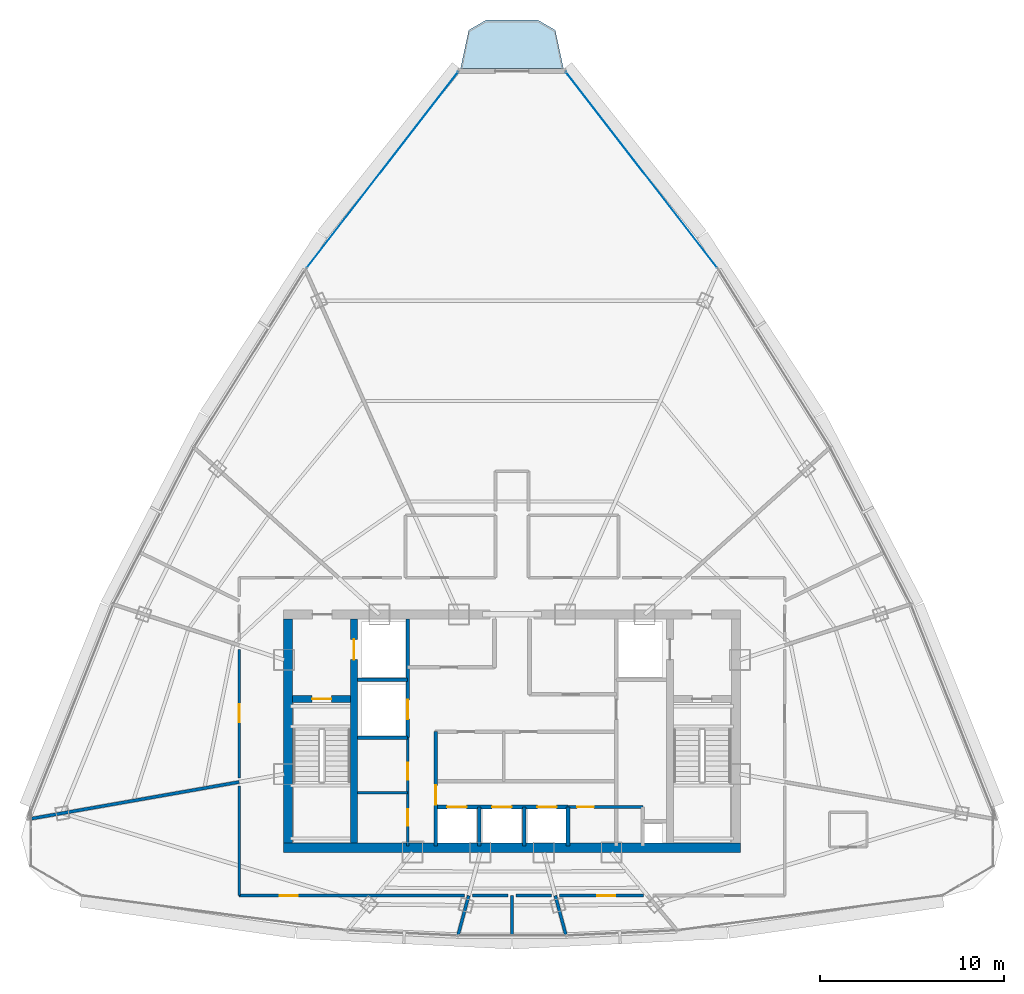
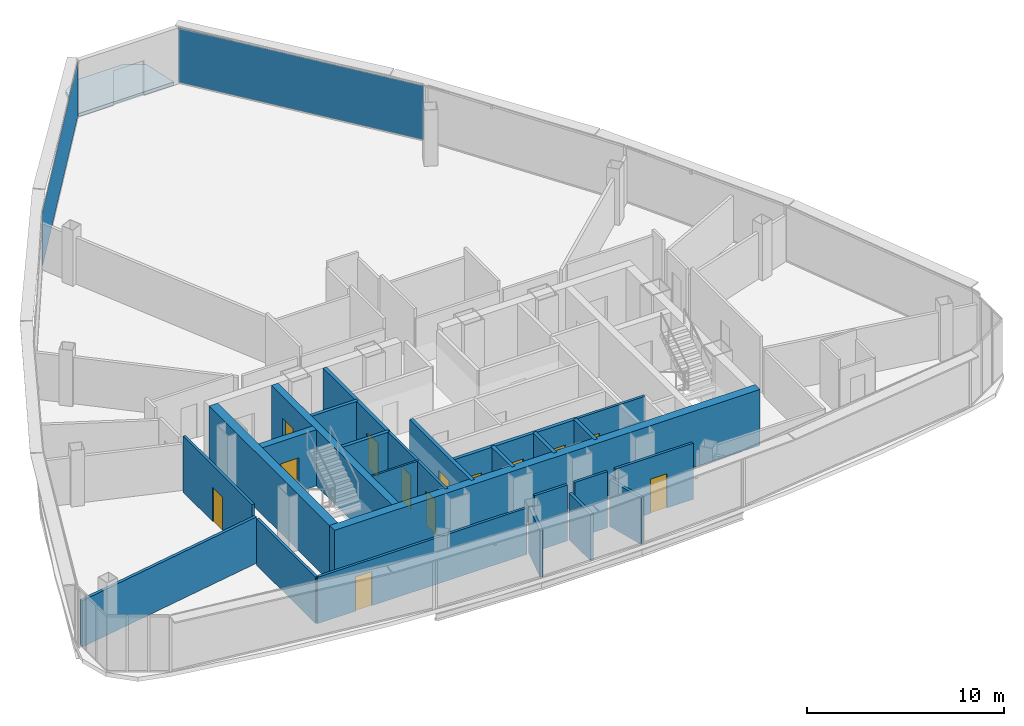
# One storey, part 24 of 29: 25 walls, 13 doors, 2 plates, 1 slab, 13 openings, 2 elements without a shape of their own.
"""IFC4 building model written with IfcOpenShell, lengths in metres."""

from ifc_helpers import new_model, si_unit, direction, frame, frame_2d, origin, origin_with_axes, origin_2d, place, context, subcontext, project, spatial, polyline, rectangle, outline, extrude, source, transform, mapped, material, layer, layer_set, type_object, element, fill, aggregate, save


model = new_model("IFC4")

# Units and contexts
model_context = context("Model", 3, precision=1e-05, world=origin(), true_north=direction((0.0, 1.0)))
body_context = subcontext(model_context, "Body", "Model", "MODEL_VIEW")
ifc_project = project(units=[si_unit("LENGTHUNIT", "METRE"), si_unit("AREAUNIT", "SQUARE_METRE"), si_unit("VOLUMEUNIT", "CUBIC_METRE"), si_unit("PLANEANGLEUNIT", "RADIAN"), si_unit("MASSUNIT", "GRAM", prefix="KILO"), si_unit("THERMODYNAMICTEMPERATUREUNIT", "KELVIN"), si_unit("POWERUNIT", "WATT")], contexts=[model_context])

# Site, building, storey
site_placement = place(None, origin())
site = spatial("IfcSite", under=ifc_project, at=site_placement, CompositionType="ELEMENT")
building_placement = place(site_placement, origin())
building = spatial("IfcBuilding", under=site, at=building_placement, Name="Yunzhuo Pagoda Commons", CompositionType="ELEMENT")
storey_placement = place(building_placement, frame((0.0, 0.0, 363.010009765625)))
storey = spatial("IfcBuildingStorey", under=building, at=storey_placement, Name="L91", CompositionType="ELEMENT", Elevation=363.010009765625)

# Slab
ifc_material_1 = material(Name="Concrete C40", Category="concrete")
ifc_layer_1 = layer(ifc_material_1, 0.199951171875)
ifc_layer_set_1 = layer_set([ifc_layer_1], Name="Concrete C40")
slab_type = type_object("IfcSlabType", Name="SL-BAL Vertex Balcony Deck Slab 200", PredefinedType="FLOOR", material=ifc_layer_set_1)
slab_placement = place(storey_placement, frame((0.0, 0.0, -0.199951171875)))
element("IfcSlab", 1, at=slab_placement, inside=storey, type_object=slab_type, Name="L91 corner balcony V3", PredefinedType="FLOOR", context=body_context, shape_type="SweptSolid", body=[
    extrude(outline(polyline([(50.802001953125, 69.911376953125), (45.197998046875, 69.911376953125), (45.64794921875, 72.00634765625), (46.59912109375, 72.556396484375), (49.40087890625, 72.556396484375), (50.35205078125, 72.00634765625), (50.802001953125, 69.911376953125)])), origin(), (0.0, 0.0, 1.0), 0.199951171875),
])

# Curtain wall, plate
ifc_material_2 = material(Name="Anodized aluminium 6063-T6", Category="aluminium")
ifc_layer_2 = layer(ifc_material_2, 0.139892578125)
ifc_layer_set_2 = layer_set([ifc_layer_2], Name="Anodized aluminium 6063-T6")
curtain_wall_type = type_object("IfcCurtainWallType", Name="CW-HI High-Zone Ribbon Curtain Wall", PredefinedType="NOTDEFINED", material=ifc_layer_set_2)
curtain_wall_1_placement = place(storey_placement, origin())
curtain_wall_1 = element("IfcCurtainWall", 2, at=curtain_wall_1_placement, inside=storey, type_object=curtain_wall_type, Name="L91 curtain wall CW-L91-F2B5", PredefinedType="NOTDEFINED")
ifc_material_3 = material(Name="Tempered low-e double glazing", Category="glass")
ifc_layer_3 = layer(ifc_material_3, 0.02587890625)
ifc_layer_set_3 = layer_set([ifc_layer_3], Name="Tempered low-e double glazing")
plate_type = type_object("IfcPlateType", Name="CW-HI-P Low-E Double Glazing 26", PredefinedType="CURTAIN_PANEL", material=ifc_layer_set_3)
shared_shape_1 = source(origin(), body_context, "Body", "SweptSolid", [
    extrude(rectangle(XDim=13.466064453125, YDim=0.028076171875, at=origin_2d()), origin(), (0.0, 0.0, 1.0), 3.360107421875),
])
plate_1_placement = place(storey_placement, frame((55.050048828125, 64.400634765625, 0.05517578125), z_axis=(0.0, 0.0, 1.0), x_axis=(-0.61136454293, 0.79134909847, 0.0)))
plate_1 = element("IfcPlate", 3, at=plate_1_placement, type_object=plate_type, Name="CW panel 1.1", PredefinedType="CURTAIN_PANEL", context=body_context, shape_type="MappedRepresentation", body=[
    mapped(shared_shape_1, transform((0.0, 0.0, 0.0), scale=1.0)),
])
aggregate(curtain_wall_1, [plate_1])

curtain_wall_2_placement = place(storey_placement, origin())
curtain_wall_2 = element("IfcCurtainWall", 4, at=curtain_wall_2_placement, inside=storey, type_object=curtain_wall_type, Name="L91 curtain wall CW-L91-F3B1", PredefinedType="NOTDEFINED")
plate_2_placement = place(storey_placement, frame((40.949951171875, 64.400634765625, 0.05517578125), z_axis=(0.0, 0.0, 1.0), x_axis=(-0.61136454293, -0.79134909847, 0.0)))
plate_2 = element("IfcPlate", 5, at=plate_2_placement, type_object=plate_type, Name="CW panel 1.1", PredefinedType="CURTAIN_PANEL", context=body_context, shape_type="MappedRepresentation", body=[
    mapped(shared_shape_1, transform((0.0, 0.0, 0.0), scale=1.0)),
])
aggregate(curtain_wall_2, [plate_2])

# Walls
ifc_material_4 = material(Name="Concrete C50", Category="concrete")
ifc_layer_4 = layer(ifc_material_4, 0.5)
ifc_layer_set_4 = layer_set([ifc_layer_4], Name="Concrete C50")
wall_type_1 = type_object("IfcWallType", Name="W-C03 Upper Core Shear Wall 500", PredefinedType="SHEAR", material=ifc_layer_set_4)
wall_1_placement = place(storey_placement, frame((35.550048828125, 27.5, 0.0), z_axis=(0.0, 0.0, 1.0), x_axis=(1.0, 0.0, 0.0)))
element("IfcWall", 6, at=wall_1_placement, inside=storey, type_object=wall_type_1, Name="L91 core shear wall S", PredefinedType="SHEAR", context=body_context, shape_type="SweptSolid", body=[
    extrude(rectangle(XDim=24.89990234375, YDim=0.5, at=frame_2d((12.449951171875, 0.0))), origin(), (0.0, 0.0, 1.0), 3.469970703125),
])
wall_2_placement = place(storey_placement, frame((35.800048828125, 27.75, 0.0), z_axis=(0.0, 0.0, 1.0), x_axis=(0.0, 1.0, 0.0)))
element("IfcWall", 7, at=wall_2_placement, inside=storey, type_object=wall_type_1, Name="L91 core shear wall W", PredefinedType="SHEAR", context=body_context, shape_type="SweptSolid", body=[
    extrude(rectangle(XDim=12.199951171875, YDim=0.5, at=frame_2d((6.10009765625, 0.0))), origin(), (0.0, 0.0, 1.0), 3.469970703125),
])

# Wall, openings, doors
ifc_material_5 = material(Name="Gypsum plasterboard on acoustic stud")
ifc_layer_5 = layer(ifc_material_5, 0.14990234375)
ifc_layer_set_5 = layer_set([ifc_layer_5], Name="Gypsum plasterboard on acoustic stud")
wall_type_2 = type_object("IfcWallType", Name="W-COR3 High-Zone Rated Corridor Wall 150", PredefinedType="PARTITIONING", material=ifc_layer_set_5)
wall_3_placement = place(storey_placement, frame((42.320068359375, 27.60009765625, 0.0), z_axis=(0.0, 0.0, 1.0), x_axis=(0.0, 1.0, 0.0)))
wall_3 = element("IfcWall", 8, at=wall_3_placement, inside=storey, type_object=wall_type_2, Name="L91 interior wall IW-L91-CSWE", PredefinedType="PARTITIONING", context=body_context, shape_type="SweptSolid", body=[
    extrude(rectangle(XDim=5.89990234375, YDim=0.14990234375, at=frame_2d((2.949951171875, 0.0))), origin(), (0.0, 0.0, 1.0), 3.469970703125),
])
opening_1_placement = place(wall_3_placement, frame((1.10009765625, 0.0, 0.0)))
opening_1 = element("IfcOpeningElement", 9, at=opening_1_placement, cuts=wall_3, Name="Opening D-03", PredefinedType="OPENING", context=body_context, shape_type="SweptSolid", body=[
    extrude(rectangle(XDim=0.89990234375, YDim=2.10009765625, at=frame_2d((0.449951171875, 1.050048828125))), frame((0.0, 0.0849609375, 0.0), z_axis=(0.0, -1.0, 0.0), x_axis=(1.0, 0.0, 0.0)), (0.0, 0.0, 1.0), 0.169921875),
])
opening_2_placement = place(wall_3_placement, frame((3.60009765625, 0.0, 0.0)))
opening_2 = element("IfcOpeningElement", 10, at=opening_2_placement, cuts=wall_3, Name="Opening D-11", PredefinedType="OPENING", context=body_context, shape_type="SweptSolid", body=[
    extrude(rectangle(XDim=0.93994140625, YDim=2.10009765625, at=frame_2d((0.469970703125, 1.050048828125))), frame((0.0, 0.0849609375, 0.0), z_axis=(0.0, -1.0, 0.0), x_axis=(1.0, 0.0, 0.0)), (0.0, 0.0, 1.0), 0.169921875),
])
ifc_material_6 = material(Name="Galvanized fire-resisting metal leaf")
door_type_1 = type_object("IfcDoorType", Name="D-03 Core Service Fire Door 900x2100", OperationType="NOTDEFINED", PredefinedType="DOOR", material=ifc_material_6)
shared_shape_2 = source(origin(), body_context, "Body", "SweptSolid", [
    extrude(rectangle(XDim=0.89990234375, YDim=2.10009765625, at=frame_2d((0.449951171875, 1.050048828125))), frame((0.0, 0.02490234375, 0.0), z_axis=(0.0, -1.0, 0.0), x_axis=(1.0, 0.0, 0.0)), (0.0, 0.0, 1.0), 0.050048828125),
])
door_1_placement = place(opening_1_placement, origin_with_axes())
door_1 = element("IfcDoor", 11, at=door_1_placement, inside=storey, type_object=door_type_1, Name="L91 housekeeping door", OperationType="SINGLE_SWING_RIGHT", OverallHeight=2.10009765625, OverallWidth=0.89990234375, PredefinedType="DOOR", context=body_context, shape_type="MappedRepresentation", body=[
    mapped(shared_shape_2, transform((0.0, 0.0, 0.0), scale=1.0)),
])
fill(opening_1, door_1)
door_type_2 = type_object("IfcDoorType", Name="D-11 Accessible Washroom Fire Door 940x2100", OperationType="NOTDEFINED", PredefinedType="DOOR", material=ifc_material_6)
shared_shape_3 = source(origin(), body_context, "Body", "SweptSolid", [
    extrude(rectangle(XDim=0.93994140625, YDim=2.10009765625, at=frame_2d((0.469970703125, 1.050048828125))), frame((0.0, 0.02490234375, 0.0), z_axis=(0.0, -1.0, 0.0), x_axis=(1.0, 0.0, 0.0)), (0.0, 0.0, 1.0), 0.050048828125),
])
door_2_placement = place(opening_2_placement, origin_with_axes())
door_2 = element("IfcDoor", 12, at=door_2_placement, inside=storey, type_object=door_type_2, Name="L91 core WC door", OperationType="SINGLE_SWING_RIGHT", OverallHeight=2.10009765625, OverallWidth=0.93994140625, PredefinedType="DOOR", context=body_context, shape_type="MappedRepresentation", body=[
    mapped(shared_shape_3, transform((0.0, 0.0, 0.0), scale=1.0)),
])
fill(opening_2, door_2)

# Wall, opening, door
wall_4_placement = place(storey_placement, frame((51.050048828125, 29.719970703125, 0.0), z_axis=(0.0, 0.0, 1.0), x_axis=(1.0, 0.0, 0.0)))
wall_4 = element("IfcWall", 13, at=wall_4_placement, inside=storey, type_object=wall_type_2, Name="L91 interior wall IW-L91-CSES", PredefinedType="PARTITIONING", context=body_context, shape_type="SweptSolid", body=[
    extrude(rectangle(XDim=4.070068359375, YDim=0.14990234375, at=frame_2d((2.03515625, 0.0))), origin(), (0.0, 0.0, 1.0), 3.469970703125),
])
opening_3_placement = place(wall_4_placement, frame((0.5, 0.0, 0.0)))
opening_3 = element("IfcOpeningElement", 14, at=opening_3_placement, cuts=wall_4, Name="Opening D-03", PredefinedType="OPENING", context=body_context, shape_type="SweptSolid", body=[
    extrude(rectangle(XDim=0.89990234375, YDim=2.10009765625, at=frame_2d((0.449951171875, 1.050048828125))), frame((0.0, 0.0849609375, 0.0), z_axis=(0.0, -1.0, 0.0), x_axis=(1.0, 0.0, 0.0)), (0.0, 0.0, 1.0), 0.169921875),
])
door_3_placement = place(opening_3_placement, origin_with_axes())
door_3 = element("IfcDoor", 15, at=door_3_placement, inside=storey, type_object=door_type_1, Name="L91 IT closet door", OperationType="SINGLE_SWING_LEFT", OverallHeight=2.10009765625, OverallWidth=0.89990234375, PredefinedType="DOOR", context=body_context, shape_type="MappedRepresentation", body=[
    mapped(shared_shape_2, transform((0.0, 0.0, 0.0), scale=1.0)),
])
fill(opening_3, door_3)

# Wall
wall_5_placement = place(storey_placement, frame((33.14990234375, 24.89990234375, 0.0), z_axis=(0.0, 0.0, 1.0), x_axis=(0.0, 1.0, 0.0)))
element("IfcWall", 16, at=wall_5_placement, inside=storey, type_object=wall_type_2, Name="L91 interior wall IW-L91-CWL01", PredefinedType="PARTITIONING", context=body_context, shape_type="SweptSolid", body=[
    extrude(rectangle(XDim=5.958251953125, YDim=0.14990234375, at=frame_2d((2.97900390625, 0.0))), origin(), (0.0, 0.0, 1.0), 2.869873046875),
])

# Wall, opening, door
wall_6_placement = place(storey_placement, frame((33.14990234375, 31.30126953125, 0.0), z_axis=(0.0, 0.0, 1.0), x_axis=(0.0, 1.0, 0.0)))
wall_6 = element("IfcWall", 17, at=wall_6_placement, inside=storey, type_object=wall_type_2, Name="L91 interior wall IW-L91-CWL02", PredefinedType="PARTITIONING", context=body_context, shape_type="SweptSolid", body=[
    extrude(rectangle(XDim=7.004150390625, YDim=0.14990234375, at=frame_2d((3.501953125, 0.0))), origin(), (0.0, 0.0, 1.0), 3.469970703125),
])
opening_4_placement = place(wall_6_placement, frame((3.027099609375, 0.0, 0.0)))
opening_4 = element("IfcOpeningElement", 18, at=opening_4_placement, cuts=wall_6, Name="Opening D-08", PredefinedType="OPENING", context=body_context, shape_type="SweptSolid", body=[
    extrude(rectangle(XDim=0.97998046875, YDim=2.1201171875, at=frame_2d((0.489990234375, 1.06005859375))), frame((0.0, 0.0849609375, 0.0), z_axis=(0.0, -1.0, 0.0), x_axis=(1.0, 0.0, 0.0)), (0.0, 0.0, 1.0), 0.169921875),
])
door_type_3 = type_object("IfcDoorType", Name="D-08 High-Zone Suite Entrance Fire Door 980x2120", OperationType="NOTDEFINED", PredefinedType="DOOR", material=ifc_material_6)
shared_shape_4 = source(origin(), body_context, "Body", "SweptSolid", [
    extrude(rectangle(XDim=0.97998046875, YDim=2.1201171875, at=frame_2d((0.489990234375, 1.06005859375))), frame((0.0, 0.02490234375, 0.0), z_axis=(0.0, -1.0, 0.0), x_axis=(1.0, 0.0, 0.0)), (0.0, 0.0, 1.0), 0.050048828125),
])
door_4_placement = place(opening_4_placement, origin_with_axes())
door_4 = element("IfcDoor", 19, at=door_4_placement, inside=storey, type_object=door_type_3, Name="L91 unit 08 entrance door", OperationType="SINGLE_SWING_LEFT", OverallHeight=2.1201171875, OverallWidth=0.97998046875, PredefinedType="DOOR", context=body_context, shape_type="MappedRepresentation", body=[
    mapped(shared_shape_4, transform((0.0, 0.0, 0.0), scale=1.0)),
])
fill(opening_4, door_4)

wall_7_placement = place(storey_placement, frame((55.164306640625, 24.89990234375, 0.0), z_axis=(0.0, 0.0, 1.0), x_axis=(-1.0, 0.0, 0.0)))
wall_7 = element("IfcWall", 20, at=wall_7_placement, inside=storey, type_object=wall_type_2, Name="L91 interior wall IW-L91-CWL17", PredefinedType="PARTITIONING", context=body_context, shape_type="SweptSolid", body=[
    extrude(rectangle(XDim=4.57861328125, YDim=0.14990234375, at=frame_2d((2.289306640625, 0.0))), origin(), (0.0, 0.0, 1.0), 3.469970703125),
])
opening_5_placement = place(wall_7_placement, frame((1.55029296875, 0.0, 0.0)))
opening_5 = element("IfcOpeningElement", 21, at=opening_5_placement, cuts=wall_7, Name="Opening D-08", PredefinedType="OPENING", context=body_context, shape_type="SweptSolid", body=[
    extrude(rectangle(XDim=0.97998046875, YDim=2.1201171875, at=frame_2d((0.489990234375, 1.06005859375))), frame((0.0, 0.0849609375, 0.0), z_axis=(0.0, -1.0, 0.0), x_axis=(1.0, 0.0, 0.0)), (0.0, 0.0, 1.0), 0.169921875),
])
door_5_placement = place(opening_5_placement, origin_with_axes())
door_5 = element("IfcDoor", 22, at=door_5_placement, inside=storey, type_object=door_type_3, Name="L91 unit 10 entrance door", OperationType="SINGLE_SWING_LEFT", OverallHeight=2.1201171875, OverallWidth=0.97998046875, PredefinedType="DOOR", context=body_context, shape_type="MappedRepresentation", body=[
    mapped(shared_shape_4, transform((0.0, 0.0, 0.0), scale=1.0)),
])
fill(opening_5, door_5)

# Walls
for number, where, z_axis, x_axis, name in (
    (23, (50.13818359375, 24.89990234375, 0.0), (0.0, 0.0, 1.0), (-1.0, 0.0, 0.0), "L91 interior wall IW-L91-CWL18"),
    (24, (47.780029296875, 24.89990234375, 0.0), (0.0, 0.0, 1.0), (-1.0, 0.0, 0.0), "L91 interior wall IW-L91-CWL19"),
):
    element("IfcWall", number, at=place(storey_placement, frame(where, z_axis=z_axis, x_axis=x_axis)), inside=storey, type_object=wall_type_2, Name=name, PredefinedType="PARTITIONING", context=body_context, shape_type="SweptSolid", body=[
        extrude(rectangle(XDim=1.918212890625, YDim=0.14990234375, at=frame_2d((0.958984375, 0.0))), origin(), (0.0, 0.0, 1.0), 3.469970703125),
    ])

# Wall, opening, door
wall_8_placement = place(storey_placement, frame((45.414306640625, 24.89990234375, 0.0), z_axis=(0.0, 0.0, 1.0), x_axis=(-1.0, 0.0, 0.0)))
wall_8 = element("IfcWall", 25, at=wall_8_placement, inside=storey, type_object=wall_type_2, Name="L91 interior wall IW-L91-CWL20", PredefinedType="PARTITIONING", context=body_context, shape_type="SweptSolid", body=[
    extrude(rectangle(XDim=12.264404296875, YDim=0.14990234375, at=frame_2d((6.13232421875, 0.0))), origin(), (0.0, 0.0, 1.0), 2.869873046875),
])
opening_6_placement = place(wall_8_placement, frame((9.06396484375, 0.0, 0.0)))
opening_6 = element("IfcOpeningElement", 26, at=opening_6_placement, cuts=wall_8, Name="Opening D-08", PredefinedType="OPENING", context=body_context, shape_type="SweptSolid", body=[
    extrude(rectangle(XDim=0.97998046875, YDim=2.1201171875, at=frame_2d((0.489990234375, 1.06005859375))), frame((0.0, 0.0849609375, 0.0), z_axis=(0.0, -1.0, 0.0), x_axis=(1.0, 0.0, 0.0)), (0.0, 0.0, 1.0), 0.169921875),
])
door_6_placement = place(opening_6_placement, origin_with_axes())
door_6 = element("IfcDoor", 27, at=door_6_placement, inside=storey, type_object=door_type_3, Name="L91 Resident Co-Living Commons Hall door", OperationType="SINGLE_SWING_RIGHT", OverallHeight=2.1201171875, OverallWidth=0.97998046875, PredefinedType="DOOR", context=body_context, shape_type="MappedRepresentation", body=[
    mapped(shared_shape_4, transform((0.0, 0.0, 0.0), scale=1.0)),
])
fill(opening_6, door_6)

# Walls
ifc_layer_6 = layer(ifc_material_5, 0.1201171875)
ifc_layer_set_6 = layer_set([ifc_layer_6], Name="Gypsum plasterboard on acoustic stud")
wall_type_3 = type_object("IfcWallType", Name="W-PRT1 Suite & Bathroom Partition 120", PredefinedType="PARTITIONING", material=ifc_layer_set_6)
wall_9_placement = place(storey_placement, frame((39.60009765625, 30.5, 0.0), z_axis=(0.0, 0.0, 1.0), x_axis=(1.0, 0.0, 0.0)))
element("IfcWall", 28, at=wall_9_placement, inside=storey, type_object=wall_type_3, Name="L91 interior wall IW-L91-CB1", PredefinedType="PARTITIONING", context=body_context, shape_type="SweptSolid", body=[
    extrude(rectangle(XDim=2.719970703125, YDim=0.1201171875, at=frame_2d((1.35986328125, 0.0))), origin(), (0.0, 0.0, 1.0), 3.469970703125),
])
ifc_layer_7 = layer(ifc_material_5, 0.169921875)
ifc_layer_set_7 = layer_set([ifc_layer_7], Name="Gypsum plasterboard on acoustic stud")
wall_type_4 = type_object("IfcWallType", Name="W-PRT4 High-Zone Demising Wall 170", PredefinedType="PARTITIONING", material=ifc_layer_set_7)
wall_10_placement = place(storey_placement, frame((33.14990234375, 31.08154296875, 0.0), z_axis=(0.0, 0.0, 1.0), x_axis=(-0.984809370591, -0.17363900367, 0.0)))
element("IfcWall", 29, at=wall_10_placement, inside=storey, type_object=wall_type_4, Name="L91 interior wall IW-L91-RAD08", PredefinedType="PARTITIONING", context=body_context, shape_type="SweptSolid", body=[
    extrude(rectangle(XDim=11.516845703125, YDim=0.169921875, at=frame_2d((5.75830078125, 0.0))), origin(), (0.0, 0.0, 1.0), 2.869873046875),
])
wall_11_placement = place(storey_placement, frame((45.64208984375, 24.89990234375, 0.0), z_axis=(0.0, 0.0, 1.0), x_axis=(-0.258842593831, -0.965919516119, 0.0)))
element("IfcWall", 30, at=wall_11_placement, inside=storey, type_object=wall_type_4, Name="L91 interior wall IW-L91-RAD09", PredefinedType="PARTITIONING", context=body_context, shape_type="SweptSolid", body=[
    extrude(rectangle(XDim=2.25341796875, YDim=0.169921875, at=frame_2d((1.126708984375, 0.0))), origin(), (0.0, 0.0, 1.0), 2.869873046875),
])
wall_12_placement = place(storey_placement, frame((48.0, 24.89990234375, 0.0), z_axis=(0.0, 0.0, 1.0), x_axis=(0.0, -1.0, 0.0)))
element("IfcWall", 31, at=wall_12_placement, inside=storey, type_object=wall_type_4, Name="L91 interior wall IW-L91-RAD10", PredefinedType="PARTITIONING", context=body_context, shape_type="SweptSolid", body=[
    extrude(rectangle(XDim=2.176513671875, YDim=0.169921875, at=frame_2d((1.08837890625, 0.0))), origin(), (0.0, 0.0, 1.0), 2.869873046875),
])
wall_13_placement = place(storey_placement, frame((50.35791015625, 24.89990234375, 0.0), z_axis=(0.0, 0.0, 1.0), x_axis=(0.258842593831, -0.965919516119, 0.0)))
element("IfcWall", 32, at=wall_13_placement, inside=storey, type_object=wall_type_4, Name="L91 interior wall IW-L91-RAD11", PredefinedType="PARTITIONING", context=body_context, shape_type="SweptSolid", body=[
    extrude(rectangle(XDim=2.25341796875, YDim=0.169921875, at=frame_2d((1.126708984375, 0.0))), origin(), (0.0, 0.0, 1.0), 2.869873046875),
])

# Wall, opening, door
ifc_material_7 = material(Name="Concrete C60", Category="concrete")
ifc_layer_8 = layer(ifc_material_7, 0.39990234375)
ifc_layer_set_8 = layer_set([ifc_layer_8], Name="Concrete C60")
wall_type_5 = type_object("IfcWallType", Name="W-S01 Internal Core Shear Web 400", PredefinedType="SHEAR", material=ifc_layer_set_8)
wall_14_placement = place(storey_placement, frame((39.39990234375, 27.75, 0.0), z_axis=(0.0, 0.0, 1.0), x_axis=(0.0, 1.0, 0.0)))
wall_14 = element("IfcWall", 33, at=wall_14_placement, inside=storey, type_object=wall_type_5, Name="L91 core shear wall WEBW", PredefinedType="SHEAR", context=body_context, shape_type="SweptSolid", body=[
    extrude(rectangle(XDim=12.199951171875, YDim=0.39990234375, at=frame_2d((6.10009765625, 0.0))), origin(), (0.0, 0.0, 1.0), 3.469970703125),
])
opening_7_placement = place(wall_14_placement, frame((10.0, 0.0, 0.0)))
opening_7 = element("IfcOpeningElement", 34, at=opening_7_placement, cuts=wall_14, Name="Opening LD-01", PredefinedType="OPENING", context=body_context, shape_type="SweptSolid", body=[
    extrude(rectangle(XDim=1.10009765625, YDim=2.10009765625, at=frame_2d((0.550048828125, 1.050048828125))), frame((0.0, 0.2099609375, 0.0), z_axis=(0.0, -1.0, 0.0), x_axis=(1.0, 0.0, 0.0)), (0.0, 0.0, 1.0), 0.419921875),
])
door_type_4 = type_object("IfcDoorType", Name="LD-01 Firefighting Lift Landing Door 1100x2100", OperationType="DOUBLE_DOOR_SLIDING", PredefinedType="DOOR", material=ifc_material_6)
shared_shape_5 = source(origin(), body_context, "Body", "SweptSolid", [
    extrude(rectangle(XDim=1.10009765625, YDim=2.10009765625, at=frame_2d((0.550048828125, 1.050048828125))), frame((0.0, 0.02490234375, 0.0), z_axis=(0.0, -1.0, 0.0), x_axis=(1.0, 0.0, 0.0)), (0.0, 0.0, 1.0), 0.050048828125),
])
door_7_placement = place(opening_7_placement, frame((1.10009765625, 0.0, 0.0), z_axis=(0.0, 0.0, 1.0), x_axis=(-1.0, 0.0, 0.0)))
door_7 = element("IfcDoor", 35, at=door_7_placement, inside=storey, type_object=door_type_4, Name="L91 Firefighting lift FL-1 landing door", OperationType="DOUBLE_DOOR_SLIDING", OverallHeight=2.10009765625, OverallWidth=1.10009765625, PredefinedType="DOOR", context=body_context, shape_type="MappedRepresentation", body=[
    mapped(shared_shape_5, transform((0.0, 0.0, 0.0), scale=1.0)),
])
fill(opening_7, door_7)

wall_15_placement = place(storey_placement, frame((36.050048828125, 35.60009765625, 0.0), z_axis=(0.0, 0.0, 1.0), x_axis=(1.0, 0.0, 0.0)))
wall_15 = element("IfcWall", 36, at=wall_15_placement, inside=storey, type_object=wall_type_5, Name="L91 core shear wall STW", PredefinedType="SHEAR", context=body_context, shape_type="SweptSolid", body=[
    extrude(rectangle(XDim=3.14990234375, YDim=0.39990234375, at=frame_2d((1.574951171875, 0.0))), origin(), (0.0, 0.0, 1.0), 3.469970703125),
])
opening_8_placement = place(wall_15_placement, frame((1.070068359375, 0.0, 0.0)))
opening_8 = element("IfcOpeningElement", 37, at=opening_8_placement, cuts=wall_15, Name="Opening D-01", PredefinedType="OPENING", context=body_context, shape_type="SweptSolid", body=[
    extrude(rectangle(XDim=1.050048828125, YDim=2.10009765625, at=frame_2d((0.52490234375, 1.050048828125))), frame((0.0, 0.2099609375, 0.0), z_axis=(0.0, -1.0, 0.0), x_axis=(1.0, 0.0, 0.0)), (0.0, 0.0, 1.0), 0.419921875),
])
door_type_5 = type_object("IfcDoorType", Name="D-01 Smokeproof Stair Fire Door 1050x2100", OperationType="NOTDEFINED", PredefinedType="DOOR", material=ifc_material_6)
shared_shape_6 = source(origin(), body_context, "Body", "SweptSolid", [
    extrude(rectangle(XDim=1.050048828125, YDim=2.10009765625, at=frame_2d((0.52490234375, 1.050048828125))), frame((0.0, 0.02490234375, 0.0), z_axis=(0.0, -1.0, 0.0), x_axis=(1.0, 0.0, 0.0)), (0.0, 0.0, 1.0), 0.050048828125),
])
door_8_placement = place(opening_8_placement, frame((1.050048828125, 0.0, 0.0), z_axis=(0.0, 0.0, 1.0), x_axis=(-1.0, 0.0, 0.0)))
door_8 = element("IfcDoor", 38, at=door_8_placement, inside=storey, type_object=door_type_5, Name="L91 Stair ST1 fire door", OperationType="SINGLE_SWING_LEFT", OverallHeight=2.10009765625, OverallWidth=1.050048828125, PredefinedType="DOOR", context=body_context, shape_type="MappedRepresentation", body=[
    mapped(shared_shape_6, transform((0.0, 0.0, 0.0), scale=1.0)),
])
fill(opening_8, door_8)

ifc_layer_9 = layer(ifc_material_1, 0.199951171875)
ifc_layer_set_9 = layer_set([ifc_layer_9], Name="Concrete C40")
wall_type_6 = type_object("IfcWallType", Name="W-SHF Shaft & Stair Enclosure Wall 200", PredefinedType="SOLIDWALL", material=ifc_layer_set_9)
wall_16_placement = place(storey_placement, frame((42.320068359375, 33.5, 0.0), z_axis=(0.0, 0.0, 1.0), x_axis=(0.0, 1.0, 0.0)))
wall_16 = element("IfcWall", 39, at=wall_16_placement, inside=storey, type_object=wall_type_6, Name="L91 interior wall IW-L91-FL1E", PredefinedType="SOLIDWALL", context=body_context, shape_type="SweptSolid", body=[
    extrude(rectangle(XDim=6.449951171875, YDim=0.199951171875, at=frame_2d((3.22509765625, 0.0))), origin(), (0.0, 0.0, 1.0), 3.469970703125),
])
opening_9_placement = place(wall_16_placement, frame((1.0, 0.0, 0.0)))
opening_9 = element("IfcOpeningElement", 40, at=opening_9_placement, cuts=wall_16, Name="Opening LD-02", PredefinedType="OPENING", context=body_context, shape_type="SweptSolid", body=[
    extrude(rectangle(XDim=1.050048828125, YDim=2.10009765625, at=frame_2d((0.52490234375, 1.050048828125))), frame((0.0, 0.10986328125, 0.0), z_axis=(0.0, -1.0, 0.0), x_axis=(1.0, 0.0, 0.0)), (0.0, 0.0, 1.0), 0.219970703125),
])
door_type_6 = type_object("IfcDoorType", Name="LD-02 Passenger Lift Landing Door 1050x2100", OperationType="DOUBLE_DOOR_SLIDING", PredefinedType="DOOR", material=ifc_material_6)
door_9_placement = place(opening_9_placement, origin_with_axes())
door_9 = element("IfcDoor", 41, at=door_9_placement, inside=storey, type_object=door_type_6, Name="L91 Service lift SL-1 landing door", OperationType="DOUBLE_DOOR_SLIDING", OverallHeight=2.10009765625, OverallWidth=1.050048828125, PredefinedType="DOOR", context=body_context, shape_type="MappedRepresentation", body=[
    mapped(shared_shape_6, transform((0.0, 0.0, 0.0), scale=1.0)),
])
fill(opening_9, door_9)

# Walls
for number, where, z_axis, x_axis, name in (
    (42, (39.60009765625, 36.64990234375, 0.0), (0.0, 0.0, 1.0), (1.0, 0.0, 0.0), "L91 interior wall IW-L91-FL1S"),
    (43, (39.60009765625, 33.5, 0.0), (0.0, 0.0, 1.0), (1.0, 0.0, 0.0), "L91 interior wall IW-L91-SL1S"),
):
    element("IfcWall", number, at=place(storey_placement, frame(where, z_axis=z_axis, x_axis=x_axis)), inside=storey, type_object=wall_type_6, Name=name, PredefinedType="SOLIDWALL", context=body_context, shape_type="SweptSolid", body=[
        extrude(rectangle(XDim=2.719970703125, YDim=0.199951171875, at=frame_2d((1.35986328125, 0.0))), origin(), (0.0, 0.0, 1.0), 3.469970703125),
    ])

# Wall, opening, door
wall_17_placement = place(storey_placement, frame((43.85009765625, 27.60009765625, 0.0), z_axis=(0.0, 0.0, 1.0), x_axis=(0.0, 1.0, 0.0)))
wall_17 = element("IfcWall", 44, at=wall_17_placement, inside=storey, type_object=wall_type_6, Name="L91 interior wall IW-L91-PLMW", PredefinedType="SOLIDWALL", context=body_context, shape_type="SweptSolid", body=[
    extrude(rectangle(XDim=6.219970703125, YDim=0.199951171875, at=frame_2d((3.10986328125, 0.0))), origin(), (0.0, 0.0, 1.0), 3.469970703125),
])
opening_10_placement = place(wall_17_placement, frame((2.25, 0.0, 0.0)))
opening_10 = element("IfcOpeningElement", 45, at=opening_10_placement, cuts=wall_17, Name="Opening D-02", PredefinedType="OPENING", context=body_context, shape_type="SweptSolid", body=[
    extrude(rectangle(XDim=1.050048828125, YDim=2.10009765625, at=frame_2d((0.52490234375, 1.050048828125))), frame((0.0, 0.10986328125, 0.0), z_axis=(0.0, -1.0, 0.0), x_axis=(1.0, 0.0, 0.0)), (0.0, 0.0, 1.0), 0.219970703125),
])
door_type_7 = type_object("IfcDoorType", Name="D-02 Firefighting Lobby & Refuge Fire Door 1050x2100", OperationType="NOTDEFINED", PredefinedType="DOOR", material=ifc_material_6)
door_10_placement = place(opening_10_placement, frame((1.050048828125, 0.0, 0.0), z_axis=(0.0, 0.0, 1.0), x_axis=(-1.0, 0.0, 0.0)))
door_10 = element("IfcDoor", 46, at=door_10_placement, inside=storey, type_object=door_type_7, Name="L91 High-bank hall west door", OperationType="SINGLE_SWING_LEFT", OverallHeight=2.10009765625, OverallWidth=1.050048828125, PredefinedType="DOOR", context=body_context, shape_type="MappedRepresentation", body=[
    mapped(shared_shape_6, transform((0.0, 0.0, 0.0), scale=1.0)),
])
fill(opening_10, door_10)

# Wall, openings, doors
wall_18_placement = place(storey_placement, frame((43.85009765625, 29.719970703125, 0.0), z_axis=(0.0, 0.0, 1.0), x_axis=(1.0, 0.0, 0.0)))
wall_18 = element("IfcWall", 47, at=wall_18_placement, inside=storey, type_object=wall_type_6, Name="L91 interior wall IW-L91-PLHN", PredefinedType="SOLIDWALL", context=body_context, shape_type="SweptSolid", body=[
    extrude(rectangle(XDim=7.199951171875, YDim=0.199951171875, at=frame_2d((3.60009765625, 0.0))), origin(), (0.0, 0.0, 1.0), 3.469970703125),
])
opening_11_placement = place(wall_18_placement, frame((0.625, 0.0, 0.0)))
opening_11 = element("IfcOpeningElement", 48, at=opening_11_placement, cuts=wall_18, Name="Opening LD-02", PredefinedType="OPENING", context=body_context, shape_type="SweptSolid", body=[
    extrude(rectangle(XDim=1.050048828125, YDim=2.10009765625, at=frame_2d((0.52490234375, 1.050048828125))), frame((0.0, 0.10986328125, 0.0), z_axis=(0.0, -1.0, 0.0), x_axis=(1.0, 0.0, 0.0)), (0.0, 0.0, 1.0), 0.219970703125),
])
opening_12_placement = place(wall_18_placement, frame((3.074951171875, 0.0, 0.0)))
opening_12 = element("IfcOpeningElement", 49, at=opening_12_placement, cuts=wall_18, Name="Opening LD-02", PredefinedType="OPENING", context=body_context, shape_type="SweptSolid", body=[
    extrude(rectangle(XDim=1.050048828125, YDim=2.10009765625, at=frame_2d((0.52490234375, 1.050048828125))), frame((0.0, 0.10986328125, 0.0), z_axis=(0.0, -1.0, 0.0), x_axis=(1.0, 0.0, 0.0)), (0.0, 0.0, 1.0), 0.219970703125),
])
opening_13_placement = place(wall_18_placement, frame((5.52490234375, 0.0, 0.0)))
opening_13 = element("IfcOpeningElement", 50, at=opening_13_placement, cuts=wall_18, Name="Opening LD-02", PredefinedType="OPENING", context=body_context, shape_type="SweptSolid", body=[
    extrude(rectangle(XDim=1.050048828125, YDim=2.10009765625, at=frame_2d((0.52490234375, 1.050048828125))), frame((0.0, 0.10986328125, 0.0), z_axis=(0.0, -1.0, 0.0), x_axis=(1.0, 0.0, 0.0)), (0.0, 0.0, 1.0), 0.219970703125),
])
door_11_placement = place(opening_11_placement, origin_with_axes())
door_11 = element("IfcDoor", 51, at=door_11_placement, inside=storey, type_object=door_type_6, Name="L91 Passenger lift PL-H1 landing door", OperationType="DOUBLE_DOOR_SLIDING", OverallHeight=2.10009765625, OverallWidth=1.050048828125, PredefinedType="DOOR", context=body_context, shape_type="MappedRepresentation", body=[
    mapped(shared_shape_6, transform((0.0, 0.0, 0.0), scale=1.0)),
])
fill(opening_11, door_11)
door_12_placement = place(opening_12_placement, origin_with_axes())
door_12 = element("IfcDoor", 52, at=door_12_placement, inside=storey, type_object=door_type_6, Name="L91 Passenger lift PL-H2 landing door", OperationType="DOUBLE_DOOR_SLIDING", OverallHeight=2.10009765625, OverallWidth=1.050048828125, PredefinedType="DOOR", context=body_context, shape_type="MappedRepresentation", body=[
    mapped(shared_shape_6, transform((0.0, 0.0, 0.0), scale=1.0)),
])
fill(opening_12, door_12)
door_13_placement = place(opening_13_placement, origin_with_axes())
door_13 = element("IfcDoor", 53, at=door_13_placement, inside=storey, type_object=door_type_6, Name="L91 Passenger lift PL-H3 landing door", OperationType="DOUBLE_DOOR_SLIDING", OverallHeight=2.10009765625, OverallWidth=1.050048828125, PredefinedType="DOOR", context=body_context, shape_type="MappedRepresentation", body=[
    mapped(shared_shape_6, transform((0.0, 0.0, 0.0), scale=1.0)),
])
fill(opening_13, door_13)

# Walls
for number, where, z_axis, x_axis, name in (
    (54, (51.050048828125, 27.60009765625, 0.0), (0.0, 0.0, 1.0), (0.0, 1.0, 0.0), "L91 interior wall IW-L91-PLHE"),
    (55, (46.22509765625, 27.60009765625, 0.0), (0.0, 0.0, 1.0), (0.0, 1.0, 0.0), "L91 interior wall IW-L91-PLHD1"),
    (56, (48.675048828125, 27.60009765625, 0.0), (0.0, 0.0, 1.0), (0.0, 1.0, 0.0), "L91 interior wall IW-L91-PLHD2"),
):
    element("IfcWall", number, at=place(storey_placement, frame(where, z_axis=z_axis, x_axis=x_axis)), inside=storey, type_object=wall_type_6, Name=name, PredefinedType="SOLIDWALL", context=body_context, shape_type="SweptSolid", body=[
        extrude(rectangle(XDim=2.119873046875, YDim=0.199951171875, at=frame_2d((1.06005859375, 0.0))), origin(), (0.0, 0.0, 1.0), 3.469970703125),
    ])

save(model, "model.ifc")
